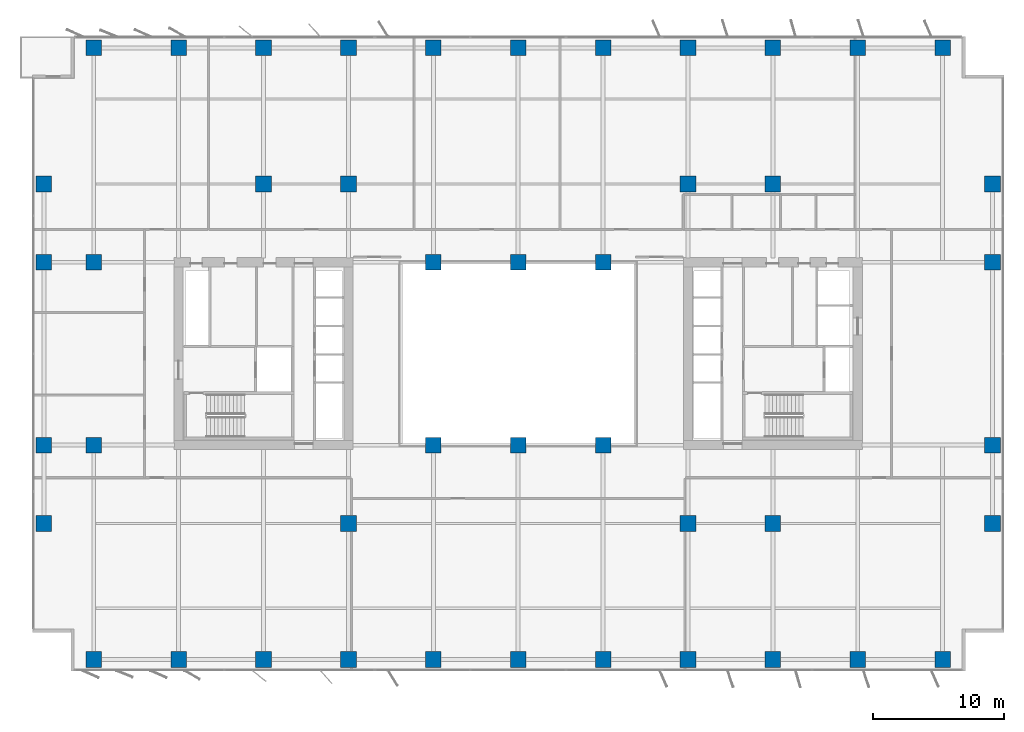
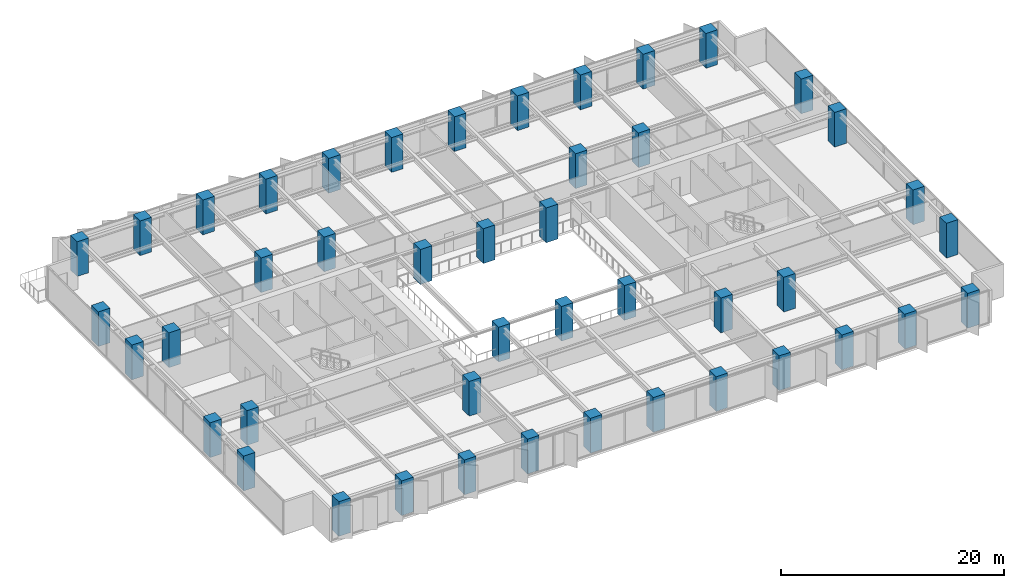
# One storey, part 1 of 20: 45 columns.
"""IFC4 building model written with IfcOpenShell, lengths in metres."""

from ifc_helpers import new_model, si_unit, direction, frame, origin, origin_2d, place, context, subcontext, project, spatial, rectangle, extrude, material, material_profile, profile_set, type_object, element, save


model = new_model("IFC4")

# Units and contexts
model_context = context("Model", 3, precision=1e-05, world=origin(), true_north=direction((0.0, 1.0)))
body_context = subcontext(model_context, "Body", "Model", "MODEL_VIEW")
ifc_project = project(units=[si_unit("LENGTHUNIT", "METRE"), si_unit("AREAUNIT", "SQUARE_METRE"), si_unit("VOLUMEUNIT", "CUBIC_METRE"), si_unit("PLANEANGLEUNIT", "RADIAN"), si_unit("MASSUNIT", "GRAM", prefix="KILO")], contexts=[model_context])

# Site, building, storey
site_placement = place(None, origin())
site = spatial("IfcSite", under=ifc_project, at=site_placement, CompositionType="ELEMENT")
building_placement = place(site_placement, origin())
building = spatial("IfcBuilding", under=site, at=building_placement, Name="Putna Gate Headquarters", CompositionType="ELEMENT")
storey_placement = place(building_placement, frame((0.0, 0.0, 89.800048828125)))
storey = spatial("IfcBuildingStorey", under=building, at=storey_placement, Name="L21", CompositionType="ELEMENT", Elevation=89.800048828125)

# Columns
ifc_material = material(Name="Concrete C60/75", Category="concrete")
ifc_material_profile_1 = material_profile(ifc_material, rectangle(XDim=1.199951171875, YDim=1.199951171875, at=origin_2d()), Name="Concrete C60/75")
ifc_profile_set_1 = profile_set([ifc_material_profile_1], Name="Concrete C60/75")
column_type_1 = type_object("IfcColumnType", Name="COL-RC1200-EXT", PredefinedType="COLUMN", material=ifc_profile_set_1)
for number, where, z_axis, x_axis, name in (
    (1, (6.5, 2.580078125, 0.0), (0.0, 0.0, 1.0), (1.0, 0.0, 0.0), "L21 Column CP-S6"),
    (2, (6.5, 49.419921875, 0.0), (0.0, 0.0, 1.0), (1.0, 0.0, 0.0), "L21 Column CP-N6"),
    (3, (13.0, 2.580078125, 0.0), (0.0, 0.0, 1.0), (1.0, 0.0, 0.0), "L21 Column CP-S13"),
    (4, (13.0, 49.419921875, 0.0), (0.0, 0.0, 1.0), (1.0, 0.0, 0.0), "L21 Column CP-N13"),
    (5, (19.5, 2.580078125, 0.0), (0.0, 0.0, 1.0), (1.0, 0.0, 0.0), "L21 Column CP-S19"),
    (6, (19.5, 49.419921875, 0.0), (0.0, 0.0, 1.0), (1.0, 0.0, 0.0), "L21 Column CP-N19"),
    (7, (26.0, 2.580078125, 0.0), (0.0, 0.0, 1.0), (1.0, 0.0, 0.0), "L21 Column CP-S26"),
    (8, (26.0, 49.419921875, 0.0), (0.0, 0.0, 1.0), (1.0, 0.0, 0.0), "L21 Column CP-N26"),
    (9, (32.5, 2.580078125, 0.0), (0.0, 0.0, 1.0), (1.0, 0.0, 0.0), "L21 Column CP-S32"),
    (10, (32.5, 49.419921875, 0.0), (0.0, 0.0, 1.0), (1.0, 0.0, 0.0), "L21 Column CP-N32"),
    (11, (39.0, 2.580078125, 0.0), (0.0, 0.0, 1.0), (1.0, 0.0, 0.0), "L21 Column CP-S39"),
    (12, (39.0, 49.419921875, 0.0), (0.0, 0.0, 1.0), (1.0, 0.0, 0.0), "L21 Column CP-N39"),
    (13, (45.5, 2.580078125, 0.0), (0.0, 0.0, 1.0), (1.0, 0.0, 0.0), "L21 Column CP-S45"),
    (14, (45.5, 49.419921875, 0.0), (0.0, 0.0, 1.0), (1.0, 0.0, 0.0), "L21 Column CP-N45"),
    (15, (52.0, 2.580078125, 0.0), (0.0, 0.0, 1.0), (1.0, 0.0, 0.0), "L21 Column CP-S52"),
    (16, (52.0, 49.419921875, 0.0), (0.0, 0.0, 1.0), (1.0, 0.0, 0.0), "L21 Column CP-N52"),
    (17, (58.5, 2.580078125, 0.0), (0.0, 0.0, 1.0), (1.0, 0.0, 0.0), "L21 Column CP-S58"),
    (18, (58.5, 49.419921875, 0.0), (0.0, 0.0, 1.0), (1.0, 0.0, 0.0), "L21 Column CP-N58"),
    (19, (65.0, 2.580078125, 0.0), (0.0, 0.0, 1.0), (1.0, 0.0, 0.0), "L21 Column CP-S65"),
    (20, (65.0, 49.419921875, 0.0), (0.0, 0.0, 1.0), (1.0, 0.0, 0.0), "L21 Column CP-N65"),
    (21, (71.5, 2.580078125, 0.0), (0.0, 0.0, 1.0), (1.0, 0.0, 0.0), "L21 Column CP-S71"),
    (22, (71.5, 49.419921875, 0.0), (0.0, 0.0, 1.0), (1.0, 0.0, 0.0), "L21 Column CP-N71"),
    (23, (2.679931640625, 13.0, 0.0), (0.0, 0.0, 1.0), (1.0, 0.0, 0.0), "L21 Column CP-W13"),
    (24, (75.320068359375, 13.0, 0.0), (0.0, 0.0, 1.0), (1.0, 0.0, 0.0), "L21 Column CP-E13"),
    (25, (2.679931640625, 19.0, 0.0), (0.0, 0.0, 1.0), (1.0, 0.0, 0.0), "L21 Column CP-W19"),
    (26, (75.320068359375, 19.0, 0.0), (0.0, 0.0, 1.0), (1.0, 0.0, 0.0), "L21 Column CP-E19"),
    (27, (2.679931640625, 33.0, 0.0), (0.0, 0.0, 1.0), (1.0, 0.0, 0.0), "L21 Column CP-W33"),
    (28, (75.320068359375, 33.0, 0.0), (0.0, 0.0, 1.0), (1.0, 0.0, 0.0), "L21 Column CP-E33"),
    (29, (2.679931640625, 39.0, 0.0), (0.0, 0.0, 1.0), (1.0, 0.0, 0.0), "L21 Column CP-W39"),
    (30, (75.320068359375, 39.0, 0.0), (0.0, 0.0, 1.0), (1.0, 0.0, 0.0), "L21 Column CP-E39"),
):
    element("IfcColumn", number, at=place(storey_placement, frame(where, z_axis=z_axis, x_axis=x_axis)), inside=storey, type_object=column_type_1, Name=name, PredefinedType="COLUMN", context=body_context, shape_type="SweptSolid", body=[
        extrude(rectangle(XDim=1.199951171875, YDim=1.199951171875, at=origin_2d()), origin(), (0.0, 0.0, 1.0), 3.800048828125),
    ])
ifc_material_profile_2 = material_profile(ifc_material, rectangle(XDim=1.199951171875, YDim=1.199951171875, at=origin_2d()), Name="Concrete C60/75")
ifc_profile_set_2 = profile_set([ifc_material_profile_2], Name="Concrete C60/75")
column_type_2 = type_object("IfcColumnType", Name="COL-RC1200-INT", PredefinedType="COLUMN", material=ifc_profile_set_2)
for number, where, z_axis, x_axis, name in (
    (31, (19.5, 39.0, 0.0), (0.0, 0.0, 1.0), (1.0, 0.0, 0.0), "L21 Column CSI-WN"),
    (32, (58.5, 13.0, 0.0), (0.0, 0.0, 1.0), (1.0, 0.0, 0.0), "L21 Column CSI-ES"),
    (33, (58.5, 39.0, 0.0), (0.0, 0.0, 1.0), (1.0, 0.0, 0.0), "L21 Column CSI-EN"),
    (34, (6.5, 19.0, 0.0), (0.0, 0.0, 1.0), (1.0, 0.0, 0.0), "L21 Column CSI-WM"),
    (35, (6.5, 33.0, 0.0), (0.0, 0.0, 1.0), (1.0, 0.0, 0.0), "L21 Column CSI-WNW"),
    (36, (32.5, 19.0, 0.0), (0.0, 0.0, 1.0), (1.0, 0.0, 0.0), "L21 Column CAI-S32"),
    (37, (32.5, 33.0, 0.0), (0.0, 0.0, 1.0), (1.0, 0.0, 0.0), "L21 Column CAI-N32"),
    (38, (39.0, 19.0, 0.0), (0.0, 0.0, 1.0), (1.0, 0.0, 0.0), "L21 Column CAI-S39"),
    (39, (39.0, 33.0, 0.0), (0.0, 0.0, 1.0), (1.0, 0.0, 0.0), "L21 Column CAI-N39"),
    (40, (45.5, 19.0, 0.0), (0.0, 0.0, 1.0), (1.0, 0.0, 0.0), "L21 Column CAI-S45"),
    (41, (45.5, 33.0, 0.0), (0.0, 0.0, 1.0), (1.0, 0.0, 0.0), "L21 Column CAI-N45"),
    (42, (26.0, 13.0, 0.0), (0.0, 0.0, 1.0), (1.0, 0.0, 0.0), "L21 Column CAP-WS"),
    (43, (26.0, 39.0, 0.0), (0.0, 0.0, 1.0), (1.0, 0.0, 0.0), "L21 Column CAP-WN"),
    (44, (52.0, 13.0, 0.0), (0.0, 0.0, 1.0), (1.0, 0.0, 0.0), "L21 Column CAP-ES"),
    (45, (52.0, 39.0, 0.0), (0.0, 0.0, 1.0), (1.0, 0.0, 0.0), "L21 Column CAP-EN"),
):
    element("IfcColumn", number, at=place(storey_placement, frame(where, z_axis=z_axis, x_axis=x_axis)), inside=storey, type_object=column_type_2, Name=name, PredefinedType="COLUMN", context=body_context, shape_type="SweptSolid", body=[
        extrude(rectangle(XDim=1.199951171875, YDim=1.199951171875, at=origin_2d()), origin(), (0.0, 0.0, 1.0), 3.800048828125),
    ])

save(model, "model.ifc")
